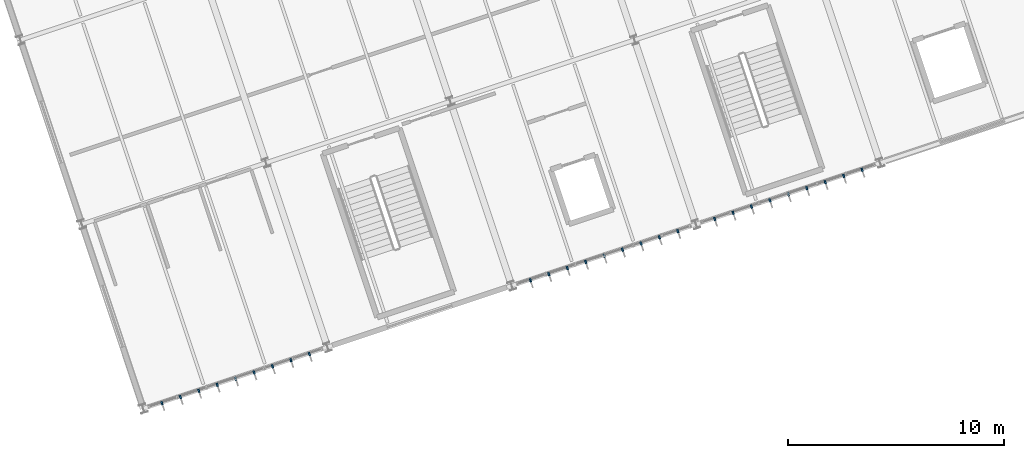
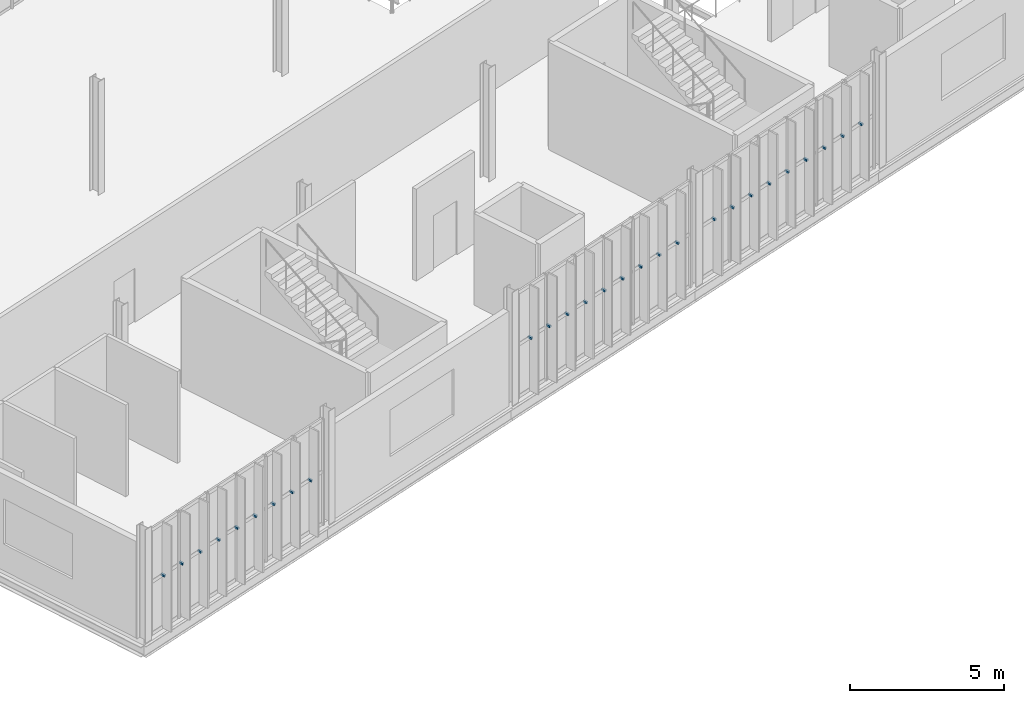
# One storey, part 129 of 152: 27 discrete accessories.
"""IFC4 building model written with IfcOpenShell, lengths in metres."""

from ifc_helpers import new_model, si_unit, derived_unit, direction, frame, origin, origin_2d, place, context, subcontext, project, spatial, rectangle, extrude, material, type_object, element, save


model = new_model("IFC4")

# Units and contexts
model_context = context("Model", 3, precision=1e-05, world=origin(), true_north=direction((0.0, 1.0)))
body_context = subcontext(model_context, "Body", "Model", "MODEL_VIEW")
ifc_project = project(units=[si_unit("LENGTHUNIT", "METRE"), si_unit("AREAUNIT", "SQUARE_METRE"), si_unit("VOLUMEUNIT", "CUBIC_METRE"), si_unit("PLANEANGLEUNIT", "RADIAN"), si_unit("MASSUNIT", "GRAM", prefix="KILO"), si_unit("THERMODYNAMICTEMPERATUREUNIT", "KELVIN"), si_unit("TIMEUNIT", "SECOND"), derived_unit("THERMALTRANSMITTANCEUNIT", [(si_unit("MASSUNIT", "GRAM", prefix="KILO"), 1), (si_unit("THERMODYNAMICTEMPERATUREUNIT", "KELVIN"), -1), (si_unit("TIMEUNIT", "SECOND"), -3)])], contexts=[model_context])

# Site, building, storey
site_placement = place(None, origin())
site = spatial("IfcSite", under=ifc_project, at=site_placement, CompositionType="ELEMENT")
building_placement = place(site_placement, origin())
building = spatial("IfcBuilding", under=site, at=building_placement, Name="Cambertide Market Hall", CompositionType="ELEMENT")
storey_placement = place(building_placement, frame((0.0, 0.0, 5.39990234375)))
storey = spatial("IfcBuildingStorey", under=building, at=storey_placement, Name="L02", CompositionType="ELEMENT", Elevation=5.39990234375)

# Discrete accessories
ifc_material = material(Name="Stainless Steel Grade 316", Category="metal")
discrete_accessory_type = type_object("IfcDiscreteAccessoryType", Name="Stainless Fin Outrigger Tie Bracket", PredefinedType="BRACKET", material=ifc_material)
for number, where, z_axis, x_axis, name in (
    (1, (113.697021484375, 14.5234375, 2.06005859375), (0.0, 0.0, 1.0), (-0.948683321523, -0.316227695598, 0.0), "CW-V3S-L02-1 Fin Tie Bracket 1"),
    (2, (112.84326171875, 14.239013671875, 2.06005859375), (0.0, 0.0, 1.0), (-0.948683321523, -0.316227695598, 0.0), "CW-V3S-L02-1 Fin Tie Bracket 2"),
    (3, (111.9892578125, 13.954345703125, 2.06005859375), (0.0, 0.0, 1.0), (-0.948683321523, -0.316227695598, 0.0), "CW-V3S-L02-1 Fin Tie Bracket 3"),
    (4, (111.135498046875, 13.669677734375, 2.06005859375), (0.0, 0.0, 1.0), (-0.948683321523, -0.316227695598, 0.0), "CW-V3S-L02-1 Fin Tie Bracket 4"),
    (5, (110.28173828125, 13.385009765625, 2.06005859375), (0.0, 0.0, 1.0), (-0.948683321523, -0.316227695598, 0.0), "CW-V3S-L02-1 Fin Tie Bracket 5"),
    (6, (109.427978515625, 13.1005859375, 2.06005859375), (0.0, 0.0, 1.0), (-0.948683321523, -0.316227695598, 0.0), "CW-V3S-L02-1 Fin Tie Bracket 6"),
    (7, (108.573974609375, 12.81591796875, 2.06005859375), (0.0, 0.0, 1.0), (-0.948683321523, -0.316227695598, 0.0), "CW-V3S-L02-1 Fin Tie Bracket 7"),
    (8, (107.72021484375, 12.53125, 2.06005859375), (0.0, 0.0, 1.0), (-0.948683321523, -0.316227695598, 0.0), "CW-V3S-L02-1 Fin Tie Bracket 8"),
    (9, (106.866455078125, 12.24658203125, 2.06005859375), (0.0, 0.0, 1.0), (-0.948683321523, -0.316227695598, 0.0), "CW-V3S-L02-1 Fin Tie Bracket 9"),
    (10, (130.773193359375, 20.215576171875, 2.06005859375), (0.0, 0.0, 1.0), (-0.948683286311, -0.316227801236, 0.0), "CW-V3S-L02-3 Fin Tie Bracket 1"),
    (11, (129.91943359375, 19.930908203125, 2.06005859375), (0.0, 0.0, 1.0), (-0.948683286311, -0.316227801236, 0.0), "CW-V3S-L02-3 Fin Tie Bracket 2"),
    (12, (129.065673828125, 19.646484375, 2.06005859375), (0.0, 0.0, 1.0), (-0.948683286311, -0.316227801236, 0.0), "CW-V3S-L02-3 Fin Tie Bracket 3"),
    (13, (128.2119140625, 19.36181640625, 2.06005859375), (0.0, 0.0, 1.0), (-0.948683286311, -0.316227801236, 0.0), "CW-V3S-L02-3 Fin Tie Bracket 4"),
    (14, (127.35791015625, 19.0771484375, 2.06005859375), (0.0, 0.0, 1.0), (-0.948683286311, -0.316227801236, 0.0), "CW-V3S-L02-3 Fin Tie Bracket 5"),
    (15, (126.504150390625, 18.79248046875, 2.06005859375), (0.0, 0.0, 1.0), (-0.948683286311, -0.316227801236, 0.0), "CW-V3S-L02-3 Fin Tie Bracket 6"),
    (16, (125.650390625, 18.508056640625, 2.06005859375), (0.0, 0.0, 1.0), (-0.948683286311, -0.316227801236, 0.0), "CW-V3S-L02-3 Fin Tie Bracket 7"),
    (17, (124.796630859375, 18.223388671875, 2.06005859375), (0.0, 0.0, 1.0), (-0.948683286311, -0.316227801236, 0.0), "CW-V3S-L02-3 Fin Tie Bracket 8"),
    (18, (123.94287109375, 17.938720703125, 2.06005859375), (0.0, 0.0, 1.0), (-0.948683286311, -0.316227801236, 0.0), "CW-V3S-L02-3 Fin Tie Bracket 9"),
    (19, (139.3115234375, 23.061767578125, 2.06005859375), (0.0, 0.0, 1.0), (-0.948683286311, -0.316227801236, 0.0), "CW-V3S-L02-4 Fin Tie Bracket 1"),
    (20, (138.45751953125, 22.777099609375, 2.06005859375), (0.0, 0.0, 1.0), (-0.948683286311, -0.316227801236, 0.0), "CW-V3S-L02-4 Fin Tie Bracket 2"),
    (21, (137.603759765625, 22.492431640625, 2.06005859375), (0.0, 0.0, 1.0), (-0.948683286311, -0.316227801236, 0.0), "CW-V3S-L02-4 Fin Tie Bracket 3"),
    (22, (136.75, 22.207763671875, 2.06005859375), (0.0, 0.0, 1.0), (-0.948683286311, -0.316227801236, 0.0), "CW-V3S-L02-4 Fin Tie Bracket 4"),
    (23, (135.896240234375, 21.92333984375, 2.06005859375), (0.0, 0.0, 1.0), (-0.948683286311, -0.316227801236, 0.0), "CW-V3S-L02-4 Fin Tie Bracket 5"),
    (24, (135.042236328125, 21.638671875, 2.06005859375), (0.0, 0.0, 1.0), (-0.948683286311, -0.316227801236, 0.0), "CW-V3S-L02-4 Fin Tie Bracket 6"),
    (25, (134.1884765625, 21.35400390625, 2.06005859375), (0.0, 0.0, 1.0), (-0.948683286311, -0.316227801236, 0.0), "CW-V3S-L02-4 Fin Tie Bracket 7"),
    (26, (133.334716796875, 21.0693359375, 2.06005859375), (0.0, 0.0, 1.0), (-0.948683286311, -0.316227801236, 0.0), "CW-V3S-L02-4 Fin Tie Bracket 8"),
    (27, (132.48095703125, 20.784912109375, 2.06005859375), (0.0, 0.0, 1.0), (-0.948683286311, -0.316227801236, 0.0), "CW-V3S-L02-4 Fin Tie Bracket 9"),
):
    element("IfcDiscreteAccessory", number, at=place(storey_placement, frame(where, z_axis=z_axis, x_axis=x_axis)), inside=storey, type_object=discrete_accessory_type, Name=name, PredefinedType="BRACKET", context=body_context, shape_type="SweptSolid", body=[
        extrude(rectangle(XDim=0.080078125, YDim=0.159912109375, at=origin_2d()), origin(), (0.0, 0.0, 1.0), 0.080078125),
    ])

save(model, "model.ifc")
